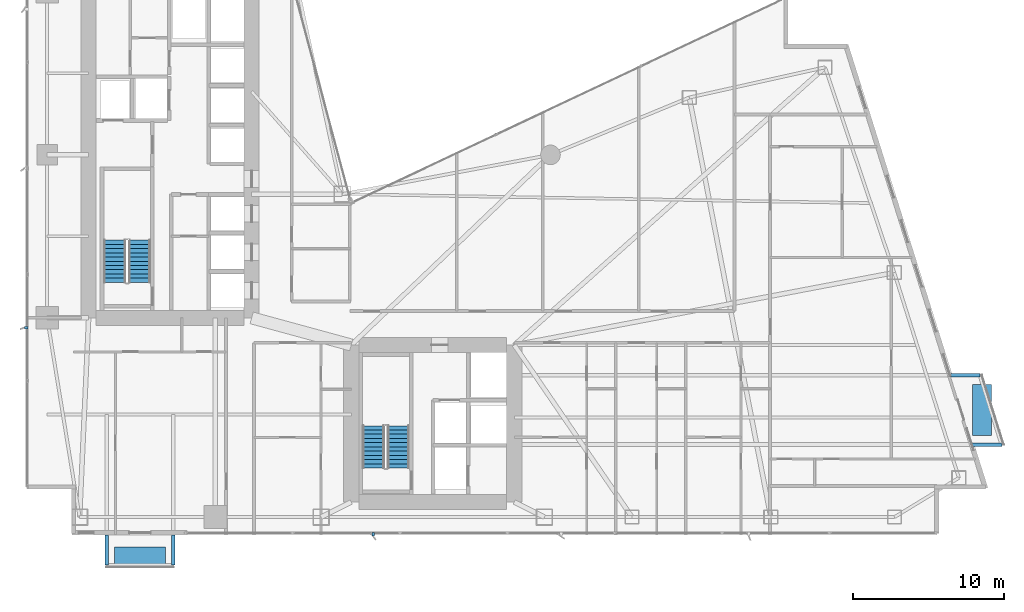
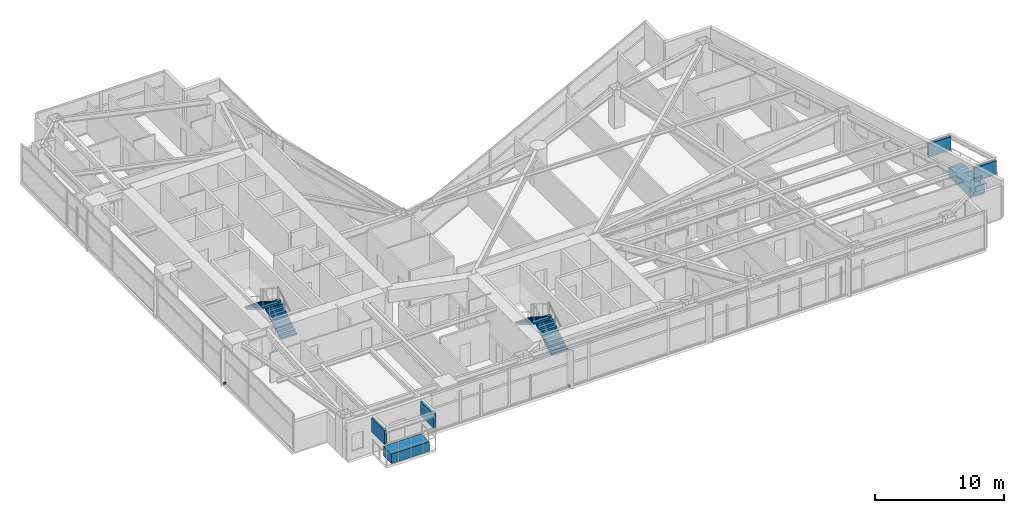
# One storey, part 26 of 30: 8 discrete accessories, 4 stair flights, 2 elements without a shape of their own.
"""IFC4 building model written with IfcOpenShell, lengths in metres."""

from ifc_helpers import new_model, si_unit, direction, frame, origin, origin_2d, place, context, subcontext, project, spatial, polyline, rectangle, outline, extrude, material, type_object, element, aggregate, save


model = new_model("IFC4")

# Units and contexts
model_context = context("Model", 3, precision=1e-05, world=origin(), true_north=direction((0.0, 1.0)))
body_context = subcontext(model_context, "Body", "Model", "MODEL_VIEW")
ifc_project = project(units=[si_unit("LENGTHUNIT", "METRE"), si_unit("AREAUNIT", "SQUARE_METRE"), si_unit("VOLUMEUNIT", "CUBIC_METRE"), si_unit("PLANEANGLEUNIT", "RADIAN"), si_unit("MASSUNIT", "GRAM", prefix="KILO")], contexts=[model_context])

# Site, building, storey
site_placement = place(None, origin())
site = spatial("IfcSite", under=ifc_project, at=site_placement, CompositionType="ELEMENT")
building_placement = place(site_placement, origin())
building = spatial("IfcBuilding", under=site, at=building_placement, Name="Calvorn Quay Hotel", CompositionType="ELEMENT")
storey_placement = place(building_placement, frame((0.0, 0.0, 50.800048828125)))
storey = spatial("IfcBuildingStorey", under=building, at=storey_placement, Name="L11", CompositionType="ELEMENT", Elevation=50.800048828125)

# Stair, stair flights
ifc_material_1 = material(Name="Concrete C40", Category="concrete")
stair_type = type_object("IfcStairType", Name="STR-CORE-DOGLEG", PredefinedType="HALF_TURN_STAIR", material=ifc_material_1)
stair_1_placement = place(storey_placement, origin())
stair_1 = element("IfcStair", 1, at=stair_1_placement, inside=storey, type_object=stair_type, Name="L11 ST-W", PredefinedType="HALF_TURN_STAIR")
ifc_material_2 = material(Name="Concrete C40", Category="concrete")
stair_flight_type = type_object("IfcStairFlightType", Name="FLT-CORE-1550", PredefinedType="STRAIGHT", material=ifc_material_2)
stair_flight_1_placement = place(storey_placement, frame((7.574951171875, 19.14990234375, 0.0), z_axis=(0.0, 0.0, 1.0), x_axis=(0.0, 1.0, 0.0)))
stair_flight_1 = element("IfcStairFlight", 2, at=stair_flight_1_placement, type_object=stair_flight_type, Name="ST-W flight 1", NumberOfRisers=11, NumberOfTreads=10, PredefinedType="STRAIGHT", RiserHeight=0.172727273, TreadLength=0.28, context=body_context, shape_type="SweptSolid", body=[
    extrude(outline(polyline([(0.0, 0.0), (0.0, 0.172607421875), (0.280029296875, 0.172607421875), (0.280029296875, 0.345458984375), (0.56005859375, 0.345458984375), (0.56005859375, 0.51806640625), (0.840087890625, 0.51806640625), (0.840087890625, 0.69091796875), (1.1201171875, 0.69091796875), (1.1201171875, 0.863525390625), (1.39990234375, 0.863525390625), (1.39990234375, 1.036376953125), (1.679931640625, 1.036376953125), (1.679931640625, 1.208984375), (1.9599609375, 1.208984375), (1.9599609375, 1.3818359375), (2.239990234375, 1.3818359375), (2.239990234375, 1.554443359375), (2.52001953125, 1.554443359375), (2.52001953125, 1.727294921875), (2.800048828125, 1.727294921875), (2.800048828125, 1.89990234375), (2.800048828125, 1.551025390625), (0.285400390625, 0.0), (0.0, 0.0)])), frame((0.0, 0.72509765625, 0.0), z_axis=(0.0, -1.0, 0.0), x_axis=(1.0, 0.0, 0.0)), (0.0, 0.0, 1.0), 1.449951171875),
])
stair_flight_2_placement = place(storey_placement, frame((5.925048828125, 21.949951171875, 1.89990234375), z_axis=(0.0, 0.0, 1.0), x_axis=(0.0, -1.0, 0.0)))
stair_flight_2 = element("IfcStairFlight", 3, at=stair_flight_2_placement, type_object=stair_flight_type, Name="ST-W flight 2", NumberOfRisers=11, NumberOfTreads=10, PredefinedType="STRAIGHT", RiserHeight=0.172727273, TreadLength=0.28, context=body_context, shape_type="SweptSolid", body=[
    extrude(outline(polyline([(0.0, 0.0), (0.0, 0.172607421875), (0.280029296875, 0.172607421875), (0.280029296875, 0.345458984375), (0.56005859375, 0.345458984375), (0.56005859375, 0.51806640625), (0.840087890625, 0.51806640625), (0.840087890625, 0.69091796875), (1.1201171875, 0.69091796875), (1.1201171875, 0.863525390625), (1.39990234375, 0.863525390625), (1.39990234375, 1.036376953125), (1.679931640625, 1.036376953125), (1.679931640625, 1.208984375), (1.9599609375, 1.208984375), (1.9599609375, 1.3818359375), (2.239990234375, 1.3818359375), (2.239990234375, 1.554443359375), (2.52001953125, 1.554443359375), (2.52001953125, 1.727294921875), (2.800048828125, 1.727294921875), (2.800048828125, 1.89990234375), (2.800048828125, 1.551025390625), (0.285400390625, 0.0), (0.0, 0.0)])), frame((0.0, 0.72509765625, 0.0), z_axis=(0.0, -1.0, 0.0), x_axis=(1.0, 0.0, 0.0)), (0.0, 0.0, 1.0), 1.449951171875),
])
aggregate(stair_1, [stair_flight_1, stair_flight_2])

stair_2_placement = place(storey_placement, origin())
stair_2 = element("IfcStair", 4, at=stair_2_placement, inside=storey, type_object=stair_type, Name="L11 ST-E", PredefinedType="HALF_TURN_STAIR")
stair_flight_3_placement = place(storey_placement, frame((24.72509765625, 6.85009765625, 0.0), z_axis=(0.0, 0.0, 1.0), x_axis=(0.0, 1.0, 0.0)))
stair_flight_3 = element("IfcStairFlight", 5, at=stair_flight_3_placement, type_object=stair_flight_type, Name="ST-E flight 1", NumberOfRisers=11, NumberOfTreads=10, PredefinedType="STRAIGHT", RiserHeight=0.172727273, TreadLength=0.28, context=body_context, shape_type="SweptSolid", body=[
    extrude(outline(polyline([(0.0, 0.0), (0.0, 0.172607421875), (0.280029296875, 0.172607421875), (0.280029296875, 0.345458984375), (0.56005859375, 0.345458984375), (0.56005859375, 0.51806640625), (0.840087890625, 0.51806640625), (0.840087890625, 0.69091796875), (1.1201171875, 0.69091796875), (1.1201171875, 0.863525390625), (1.39990234375, 0.863525390625), (1.39990234375, 1.036376953125), (1.679931640625, 1.036376953125), (1.679931640625, 1.208984375), (1.9599609375, 1.208984375), (1.9599609375, 1.3818359375), (2.239990234375, 1.3818359375), (2.239990234375, 1.554443359375), (2.52001953125, 1.554443359375), (2.52001953125, 1.727294921875), (2.800048828125, 1.727294921875), (2.800048828125, 1.89990234375), (2.800048828125, 1.551025390625), (0.285400390625, 0.0), (0.0, 0.0)])), frame((0.0, 0.72509765625, 0.0), z_axis=(0.0, -1.0, 0.0), x_axis=(1.0, 0.0, 0.0)), (0.0, 0.0, 1.0), 1.449951171875),
])
stair_flight_4_placement = place(storey_placement, frame((23.074951171875, 9.64990234375, 1.89990234375), z_axis=(0.0, 0.0, 1.0), x_axis=(0.0, -1.0, 0.0)))
stair_flight_4 = element("IfcStairFlight", 6, at=stair_flight_4_placement, type_object=stair_flight_type, Name="ST-E flight 2", NumberOfRisers=11, NumberOfTreads=10, PredefinedType="STRAIGHT", RiserHeight=0.172727273, TreadLength=0.28, context=body_context, shape_type="SweptSolid", body=[
    extrude(outline(polyline([(0.0, 0.0), (0.0, 0.172607421875), (0.280029296875, 0.172607421875), (0.280029296875, 0.345458984375), (0.56005859375, 0.345458984375), (0.56005859375, 0.51806640625), (0.840087890625, 0.51806640625), (0.840087890625, 0.69091796875), (1.1201171875, 0.69091796875), (1.1201171875, 0.863525390625), (1.39990234375, 0.863525390625), (1.39990234375, 1.036376953125), (1.679931640625, 1.036376953125), (1.679931640625, 1.208984375), (1.9599609375, 1.208984375), (1.9599609375, 1.3818359375), (2.239990234375, 1.3818359375), (2.239990234375, 1.554443359375), (2.52001953125, 1.554443359375), (2.52001953125, 1.727294921875), (2.800048828125, 1.727294921875), (2.800048828125, 1.89990234375), (2.800048828125, 1.551025390625), (0.285400390625, 0.0), (0.0, 0.0)])), frame((0.0, 0.72509765625, 0.0), z_axis=(0.0, -1.0, 0.0), x_axis=(1.0, 0.0, 0.0)), (0.0, 0.0, 1.0), 1.449951171875),
])
aggregate(stair_2, [stair_flight_3, stair_flight_4])

# Discrete accessories
ifc_material_3 = material(Name="Steel Q355B", Category="steel")
discrete_accessory_type_1 = type_object("IfcDiscreteAccessoryType", Name="ACC-BALC-STRUT", PredefinedType="BRACKET", material=ifc_material_3)
for number, where, z_axis, x_axis, name in (
    (7, (63.712890625, 8.39990234375, 2.01513671875), (0.0, 0.0, 1.0), (1.0, 0.0, 0.0), "Exterior Balcony Steel Bracket L12-BALC-E-A"),
    (8, (62.262939453125, 13.0, 2.01513671875), (0.0, 0.0, 1.0), (1.0, 0.0, 0.0), "Exterior Balcony Steel Bracket L12-BALC-E-B"),
):
    element("IfcDiscreteAccessory", number, at=place(storey_placement, frame(where, z_axis=z_axis, x_axis=x_axis)), inside=storey, type_object=discrete_accessory_type_1, Name=name, PredefinedType="BRACKET", context=body_context, shape_type="SweptSolid", body=[
        extrude(rectangle(XDim=1.989990234375, YDim=0.219970703125, at=origin_2d()), origin(), (0.0, 0.0, 1.0), 1.300048828125),
    ])
for number, where, z_axis, x_axis, name in (
    (9, (5.39990234375, 1.405029296875, 2.01513671875), (0.0, 0.0, 1.0), (1.0, 0.0, 0.0), "Exterior Balcony Steel Bracket L12-BALC-S-A"),
    (10, (9.800048828125, 1.405029296875, 2.01513671875), (0.0, 0.0, 1.0), (1.0, 0.0, 0.0), "Exterior Balcony Steel Bracket L12-BALC-S-B"),
):
    element("IfcDiscreteAccessory", number, at=place(storey_placement, frame(where, z_axis=z_axis, x_axis=x_axis)), inside=storey, type_object=discrete_accessory_type_1, Name=name, PredefinedType="BRACKET", context=body_context, shape_type="SweptSolid", body=[
        extrude(rectangle(XDim=0.219970703125, YDim=1.989990234375, at=origin_2d()), origin(), (0.0, 0.0, 1.0), 1.300048828125),
    ])
ifc_material_4 = material(Name="Steel Q355B", Category="steel")
discrete_accessory_type_2 = type_object("IfcDiscreteAccessoryType", Name="ACC-FIN-BRACKET", PredefinedType="BRACKET", material=ifc_material_4)
for number, where, z_axis, x_axis, name in (
    (11, (0.06005859375, 16.14990234375, 0.02978515625), (0.0, 0.0, 1.0), (1.0, 0.0, 0.0), "Fin Anchor Bracket L11-W01"),
    (12, (23.050048828125, 2.4599609375, 0.02978515625), (0.0, 0.0, 1.0), (0.0, 1.0, 0.0), "Fin Anchor Bracket L11-S01"),
):
    element("IfcDiscreteAccessory", number, at=place(storey_placement, frame(where, z_axis=z_axis, x_axis=x_axis)), inside=storey, type_object=discrete_accessory_type_2, Name=name, PredefinedType="BRACKET", context=body_context, shape_type="SweptSolid", body=[
        extrude(rectangle(XDim=0.239990234375, YDim=0.159912109375, at=origin_2d()), origin(), (0.0, 0.0, 1.0), 0.179931640625),
    ])
ifc_material_5 = material(Name="Precast concrete C40", Category="concrete")
discrete_accessory_type_3 = type_object("IfcDiscreteAccessoryType", Name="ACC-TREE-PLANTER", PredefinedType="USERDEFINED", material=ifc_material_5)
discrete_accessory_1_placement = place(storey_placement, frame((63.403076171875, 10.699951171875, 0.0), z_axis=(0.0, 0.0, 1.0), x_axis=(1.0, 0.0, 0.0)))
element("IfcDiscreteAccessory", 13, at=discrete_accessory_1_placement, inside=storey, type_object=discrete_accessory_type_3, Name="Subtropical Tree Structural Planter L11-BALC-E", ObjectType="PLANTER", PredefinedType="USERDEFINED", context=body_context, shape_type="SweptSolid", body=[
    extrude(rectangle(XDim=1.25, YDim=3.39990234375, at=origin_2d()), origin(), (0.0, 0.0, 1.0), 0.89990234375),
])
discrete_accessory_2_placement = place(storey_placement, frame((7.60009765625, 0.989990234375, 0.0), z_axis=(0.0, 0.0, 1.0), x_axis=(1.0, 0.0, 0.0)))
element("IfcDiscreteAccessory", 14, at=discrete_accessory_2_placement, inside=storey, type_object=discrete_accessory_type_3, Name="Subtropical Tree Structural Planter L11-BALC-S", ObjectType="PLANTER", PredefinedType="USERDEFINED", context=body_context, shape_type="SweptSolid", body=[
    extrude(rectangle(XDim=3.39990234375, YDim=1.25, at=origin_2d()), origin(), (0.0, 0.0, 1.0), 0.89990234375),
])

save(model, "model.ifc")
